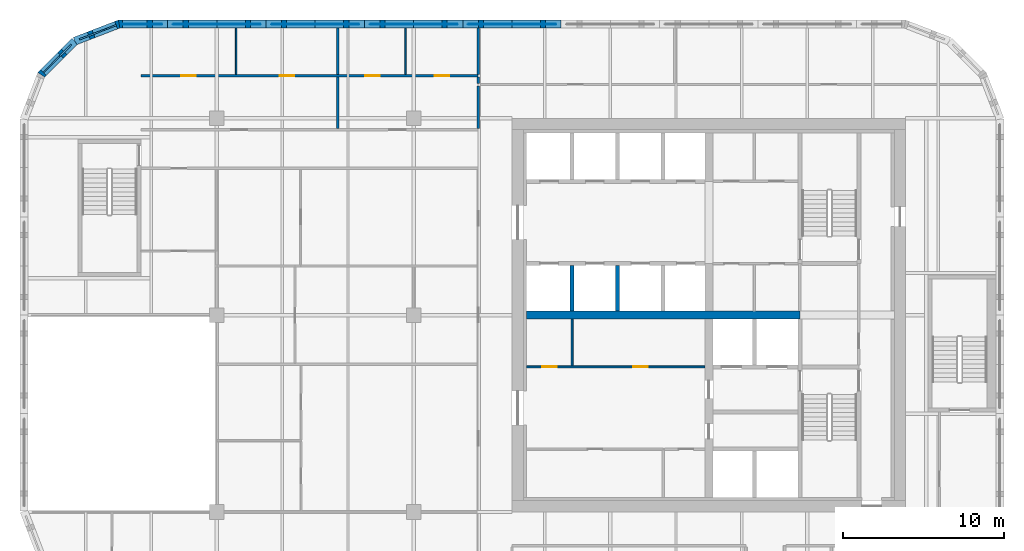
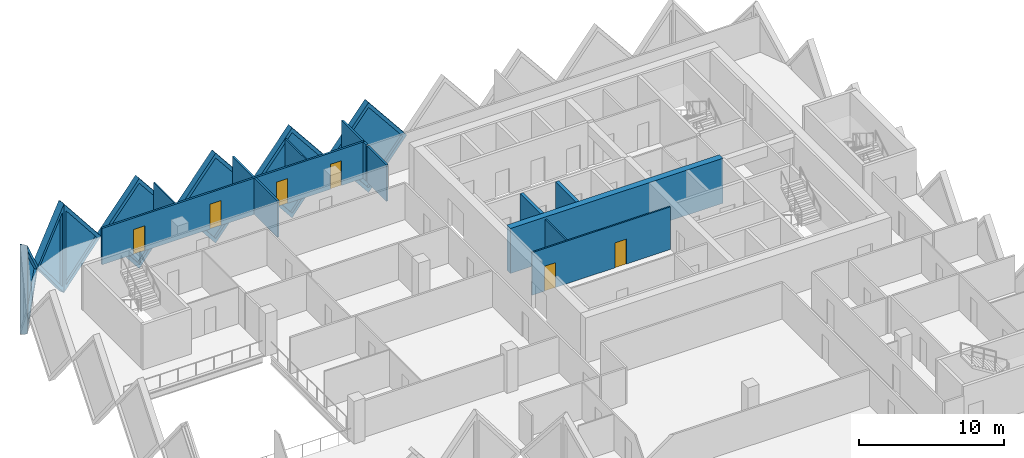
# One storey, part 8 of 12: 20 walls, 7 plates, 6 doors, 13 openings.
"""IFC4 building model written with IfcOpenShell, lengths in metres."""

import ifcopenshell
import ifcopenshell.guid

model = None  # the IFC model being written
_history = None  # IfcOwnerHistory: only IFC2X3 demands one
_inside = {}  # id of a spatial element -> (the spatial element, [elements in it])
_under = {}  # id of a project, library or spatial element -> (it, [spatial elements below it])
_declared = {}  # id of a project -> (the project, [libraries it declares])
_typed = {}  # id of a type object -> (the type object, [elements of that type])
_made_of = {}  # id of a material, layer set ... -> (it, [elements and type objects made of it])


def new_model(schema):
    """Start an empty IFC model of exactly this schema.

    Asked for "IFC4X3", IfcOpenShell would pick the latest addendum, in which some entities
    have other attributes; the version numbers below select the first issue.
    IFC2X3 requires an IfcOwnerHistory on every rooted entity: one is made here for all.
    """
    global model, _history
    if schema == "IFC4X3":
        model = ifcopenshell.file(schema_version=(4, 3, 0, 0))
    else:
        model = ifcopenshell.file(schema=schema)
    _inside.clear()
    _under.clear()
    _declared.clear()
    _typed.clear()
    _made_of.clear()
    _history = None
    if model.schema == "IFC2X3":
        org = make("IfcOrganization", Name="unknown")
        user = make(
            "IfcPersonAndOrganization",
            ThePerson=make("IfcPerson", FamilyName="unknown"),
            TheOrganization=org,
        )
        app = make(
            "IfcApplication",
            ApplicationDeveloper=org,
            Version="unknown",
            ApplicationFullName="unknown",
            ApplicationIdentifier="unknown",
        )
        _history = make(
            "IfcOwnerHistory",
            OwningUser=user,
            OwningApplication=app,
            ChangeAction="ADDED",
            CreationDate=0,
        )
    return model


def make(cls, **values):
    """One entity of the class cls with the attributes given. An attribute that is None is left unset."""
    return model.create_entity(
        cls, **{name: value for name, value in values.items() if value is not None}
    )


def rooted(cls, **values):
    """An entity with a GlobalId (a new one), such as an element, a storey or a relation."""
    return make(cls, GlobalId=ifcopenshell.guid.new(), OwnerHistory=_history, **values)


def si_unit(unit_type, name, prefix=None):
    """IfcSIUnit, for example si_unit("LENGTHUNIT", "METRE", prefix="MILLI")."""
    return make("IfcSIUnit", UnitType=unit_type, Prefix=prefix, Name=name)


def assignment(units):
    """IfcUnitAssignment: the units of a project."""
    return None if units is None else make("IfcUnitAssignment", Units=units)


def point(xyz):
    """IfcCartesianPoint."""
    return None if xyz is None else make("IfcCartesianPoint", Coordinates=xyz)


def direction(xyz):
    """IfcDirection."""
    return None if xyz is None else make("IfcDirection", DirectionRatios=xyz)


def frame(location, z_axis=None, x_axis=None):
    """IfcAxis2Placement3D, a coordinate frame: its origin and axes. An axis left out is left unset."""
    return make(
        "IfcAxis2Placement3D",
        Location=point(location),
        Axis=direction(z_axis),
        RefDirection=direction(x_axis),
    )


def frame_2d(location, x_axis=None):
    """IfcAxis2Placement2D, a coordinate frame in the plane: its origin and x axis."""
    return make(
        "IfcAxis2Placement2D", Location=point(location), RefDirection=direction(x_axis)
    )


def origin():
    """The frame at (0, 0, 0) with its axes left unset."""
    return frame((0.0, 0.0, 0.0))


def place(relative_to, where):
    """IfcLocalPlacement: puts the frame where relative to a parent placement (None: the world)."""
    return make(
        "IfcLocalPlacement", PlacementRelTo=relative_to, RelativePlacement=where
    )


def context(
    kind, dimensions, precision=None, world=None, true_north=None, identifier=None
):
    """IfcGeometricRepresentationContext, for example the 3D "Model" context."""
    return make(
        "IfcGeometricRepresentationContext",
        ContextIdentifier=identifier,
        ContextType=kind,
        CoordinateSpaceDimension=dimensions,
        Precision=precision,
        WorldCoordinateSystem=world,
        TrueNorth=true_north,
    )


def subcontext(parent, identifier, kind, view, scale=None):
    """IfcGeometricRepresentationSubContext, for example "Body" below "Model"."""
    return make(
        "IfcGeometricRepresentationSubContext",
        ContextIdentifier=identifier,
        ContextType=kind,
        ParentContext=parent,
        TargetScale=scale,
        TargetView=view,
    )


def project(units=None, contexts=None):
    """IfcProject with its units and contexts."""
    return rooted(
        "IfcProject",
        Name="project",
        RepresentationContexts=contexts,
        UnitsInContext=assignment(units),
    )


def spatial(cls, under=None, at=None, **own):
    """A site, building, storey or space (cls), placed at a placement, below another one or the project."""
    s = rooted(cls, ObjectPlacement=at, **own)
    if under is not None:
        _under.setdefault(under.id(), (under, []))[1].append(s)
    return s


def polyline(points):
    """IfcPolyline through the points."""
    return make("IfcPolyline", Points=[point(p) for p in points])


def profile(cls, at=None, kind="AREA", **sizes):
    """A parametric profile (cls). Its sizes go by their IFC names, for example OverallWidth=200.0."""
    return make(cls, ProfileType=kind, Position=at, **sizes)


def rectangle(**sizes):
    """IfcRectangleProfileDef."""
    return profile("IfcRectangleProfileDef", **sizes)


def outline(outer, holes=None, kind="AREA"):
    """IfcArbitraryClosedProfileDef: a profile drawn as a closed curve; with holes, ...WithVoids."""
    if holes is None:
        return make("IfcArbitraryClosedProfileDef", ProfileType=kind, OuterCurve=outer)
    return make(
        "IfcArbitraryProfileDefWithVoids",
        ProfileType=kind,
        OuterCurve=outer,
        InnerCurves=holes,
    )


def extrude(swept, where, along, depth):
    """IfcExtrudedAreaSolid: the profile swept, set in the frame where, extruded along a direction by depth."""
    return make(
        "IfcExtrudedAreaSolid",
        SweptArea=swept,
        Position=where,
        ExtrudedDirection=direction(along),
        Depth=depth,
    )


def faces_of(points, faces, orient=None, outer=None):
    """IfcFace entities. A face is a list of loops; a loop is a list of indices into points, from 0.

    orient and outer hold one flag for each loop. By default every Orientation is true, the
    first loop of a face is its IfcFaceOuterBound and the others are IfcFaceBound.
    """
    made = []
    for i, loops in enumerate(faces):
        bounds = []
        for j, loop in enumerate(loops):
            is_outer = j == 0 if outer is None else outer[i][j]
            bounds.append(
                make(
                    "IfcFaceOuterBound" if is_outer else "IfcFaceBound",
                    Bound=make("IfcPolyLoop", Polygon=[points[k] for k in loop]),
                    Orientation=True if orient is None else orient[i][j],
                )
            )
        made.append(make("IfcFace", Bounds=bounds))
    return made


def faceted_brep(points, faces, orient=None, outer=None, voids=None):
    """IfcFacetedBrep: a solid bounded by flat faces; with voids (closed shells), ...WithVoids."""
    shared = [point(p) for p in points]
    hull = make("IfcClosedShell", CfsFaces=faces_of(shared, faces, orient, outer))
    if voids is None:
        return make("IfcFacetedBrep", Outer=hull)
    return make(
        "IfcFacetedBrepWithVoids",
        Outer=hull,
        Voids=[
            make(cls, CfsFaces=faces_of(shared, fs, o, b)) for cls, fs, o, b in voids
        ],
    )


def shape(context_of_items, identifier, shape_type, items):
    """IfcShapeRepresentation: the items that make up one representation, for example the "Body"."""
    return make(
        "IfcShapeRepresentation",
        ContextOfItems=context_of_items,
        RepresentationIdentifier=identifier,
        RepresentationType=shape_type,
        Items=items,
    )


def source(mapping_origin, context_of_items, identifier, shape_type, items):
    """IfcRepresentationMap: a shape defined once, which mapped items show again and again."""
    return make(
        "IfcRepresentationMap",
        MappingOrigin=mapping_origin,
        MappedRepresentation=shape(context_of_items, identifier, shape_type, items),
    )


def transform(
    local_origin,
    x_axis=None,
    y_axis=None,
    z_axis=None,
    scale=None,
    scale2=None,
    scale3=None,
    uniform=True,
):
    """IfcCartesianTransformationOperator3D, or its non-uniform kind. x_axis, y_axis, z_axis: its Axis1, 2, 3."""
    if uniform:
        return make(
            "IfcCartesianTransformationOperator3D",
            Axis1=direction(x_axis),
            Axis2=direction(y_axis),
            LocalOrigin=point(local_origin),
            Scale=scale,
            Axis3=direction(z_axis),
        )
    return make(
        "IfcCartesianTransformationOperator3DnonUniform",
        Axis1=direction(x_axis),
        Axis2=direction(y_axis),
        LocalOrigin=point(local_origin),
        Scale=scale,
        Axis3=direction(z_axis),
        Scale2=scale2,
        Scale3=scale3,
    )


def mapped(mapping_source, mapping_target):
    """IfcMappedItem: shows the shape of a source again, moved by a transform."""
    return make(
        "IfcMappedItem", MappingSource=mapping_source, MappingTarget=mapping_target
    )


def material(Name=None, Category=None):
    """IfcMaterial."""
    return make("IfcMaterial", Name=Name, Category=Category)


def layer(
    of_material, thickness, ventilated=None, Name=None, Category=None, Priority=None
):
    """IfcMaterialLayer: one layer of a wall or slab, of a material (None: an air gap)."""
    return make(
        "IfcMaterialLayer",
        Material=of_material,
        LayerThickness=thickness,
        IsVentilated=ventilated,
        Name=Name,
        Category=Category,
        Priority=Priority,
    )


def layer_set(layers, Name=None):
    """IfcMaterialLayerSet."""
    return make("IfcMaterialLayerSet", MaterialLayers=layers, LayerSetName=Name)


def made_of(thing, what):
    """Note that an element or type object is made of a material, layer set ...; save() writes the relation."""
    if what is not None:
        _made_of.setdefault(what.id(), (what, []))[1].append(thing)
    return thing


def type_object(cls, material=None, **own):
    """A type object (cls), such as IfcWallType, which elements share."""
    return made_of(rooted(cls, **own), material)


def element(
    cls,
    number,
    at=None,
    inside=None,
    cuts=None,
    type_object=None,
    material=None,
    context=None,
    identifier="Body",
    shape_type=None,
    held_by="IfcProductDefinitionShape",
    body=None,
    shapes=None,
    **own,
):
    """One element of the class cls, such as IfcWall. Its Tag is "e" and its number.

    at: its placement. inside: the storey or other place that contains it. cuts: it is an
    opening in that element (IfcRelVoidsElement). A single representation is given by context,
    identifier, shape_type and body (its items); several are given by shapes. held_by: the class
    of the entity that holds the representations. save() writes the other relations.
    """
    e = rooted(cls, Tag="e%d" % number, ObjectPlacement=at, **own)
    if body is not None:
        shapes = [shape(context, identifier, shape_type, body)]
    if shapes is not None:
        e.Representation = make(held_by, Representations=shapes)
    if inside is not None:
        _inside.setdefault(inside.id(), (inside, []))[1].append(e)
    if cuts is not None:
        rooted(
            "IfcRelVoidsElement", RelatingBuildingElement=cuts, RelatedOpeningElement=e
        )
    if type_object is not None:
        _typed.setdefault(type_object.id(), (type_object, []))[1].append(e)
    return made_of(e, material)


def fill(opening, filler):
    """IfcRelFillsElement: the door or window that sits in an opening."""
    return rooted(
        "IfcRelFillsElement",
        RelatingOpeningElement=opening,
        RelatedBuildingElement=filler,
    )


def aggregate(whole, parts):
    """IfcRelAggregates: a whole, such as a stair, and the parts it consists of."""
    return rooted("IfcRelAggregates", RelatingObject=whole, RelatedObjects=parts)


def save(model, path):
    """Write the relations noted so far, then the file.

    IfcRelAggregates (storeys below a building ...), IfcRelContainedInSpatialStructure (elements
    in a storey), IfcRelDefinesByType, IfcRelAssociatesMaterial and IfcRelDeclares: one each for
    every whole, place, type object, material and project.
    """
    for whole, parts in _under.values():
        aggregate(whole, parts)
    for where, things in _inside.values():
        rooted(
            "IfcRelContainedInSpatialStructure",
            RelatedElements=things,
            RelatingStructure=where,
        )
    for kind, things in _typed.values():
        rooted("IfcRelDefinesByType", RelatedObjects=things, RelatingType=kind)
    for what, things in _made_of.values():
        rooted("IfcRelAssociatesMaterial", RelatedObjects=things, RelatingMaterial=what)
    for by, libraries in _declared.values():
        rooted("IfcRelDeclares", RelatingContext=by, RelatedDefinitions=libraries)
    model.write(path)


model = new_model("IFC4")

# Units and contexts
model_context = context("Model", 3, precision=1e-05, world=origin(), true_north=direction((0.0, 1.0)))
body_context = subcontext(model_context, "Body", "Model", "MODEL_VIEW")
ifc_project = project(units=[si_unit("LENGTHUNIT", "METRE"), si_unit("AREAUNIT", "SQUARE_METRE"), si_unit("VOLUMEUNIT", "CUBIC_METRE"), si_unit("PLANEANGLEUNIT", "RADIAN"), si_unit("MASSUNIT", "GRAM", prefix="KILO")], contexts=[model_context])

# Site, building, storey
site_placement = place(None, origin())
site = spatial("IfcSite", under=ifc_project, at=site_placement, CompositionType="ELEMENT")
building_placement = place(site_placement, origin())
building = spatial("IfcBuilding", under=site, at=building_placement, Name="Tessera Gate Towers", CompositionType="ELEMENT")
storey_placement = place(building_placement, frame((0.0, 0.0, 135.39990234375)))
storey = spatial("IfcBuildingStorey", under=building, at=storey_placement, Name="L33", CompositionType="ELEMENT", Elevation=135.39990234375)

# Walls
ifc_material_1 = material(Name="Concrete C40/50", Category="concrete")
ifc_layer_1 = layer(ifc_material_1, 0.25)
ifc_layer_set_1 = layer_set([ifc_layer_1], Name="CORE ENCLOSURE WALL 250")
wall_type_1 = type_object("IfcWallType", Name="CORE ENCLOSURE WALL 250", PredefinedType="SOLIDWALL", material=ifc_layer_set_1)
for number, where, z_axis, x_axis, name in (
    (1, (34.22509765625, 36.85009765625, 0.0), (0.0, 0.0, 1.0), (0.0, 1.0, 0.0), "L33 shaft and stair enclosure wall"),
    (2, (37.050048828125, 36.85009765625, 0.0), (0.0, 0.0, 1.0), (0.0, 1.0, 0.0), "L33 shaft and stair enclosure wall"),
):
    element("IfcWall", number, at=place(storey_placement, frame(where, z_axis=z_axis, x_axis=x_axis)), inside=storey, type_object=wall_type_1, Name=name, PredefinedType="SOLIDWALL", context=body_context, shape_type="SweptSolid", body=[
        extrude(rectangle(XDim=2.824951171875, YDim=0.25, at=frame_2d((1.41259765625, 0.0))), origin(), (0.0, 0.0, 1.0), 3.800048828125),
    ])

# Wall, openings, doors
ifc_material_2 = material(Name="Gypsum board on steel studs", Category="steel")
ifc_layer_2 = layer(ifc_material_2, 0.1201171875)
ifc_layer_set_2 = layer_set([ifc_layer_2], Name="CORE PARTITION 120")
wall_type_2 = type_object("IfcWallType", Name="CORE PARTITION 120", PredefinedType="PARTITIONING", material=ifc_layer_set_2)
wall_1_placement = place(storey_placement, frame((31.39990234375, 33.39990234375, 0.0), z_axis=(0.0, 0.0, 1.0), x_axis=(1.0, 0.0, 0.0)))
wall_1 = element("IfcWall", 3, at=wall_1_placement, inside=storey, type_object=wall_type_2, Name="L33 core partition", PredefinedType="PARTITIONING", context=body_context, shape_type="SweptSolid", body=[
    extrude(rectangle(XDim=11.050048828125, YDim=0.1201171875, at=frame_2d((5.52490234375, 0.0))), origin(), (0.0, 0.0, 1.0), 3.60009765625),
])
shared_shape_1 = source(origin(), body_context, "Body", "SweptSolid", [
    extrude(rectangle(XDim=0.89990234375, YDim=2.10009765625, at=frame_2d((0.449951171875, 1.050048828125))), frame((0.0, 0.070068359375, 0.0), z_axis=(0.0, -1.0, 0.0), x_axis=(1.0, 0.0, 0.0)), (0.0, 0.0, 1.0), 0.14013671875),
])
opening_1_placement = place(wall_1_placement, frame((0.96240234375, 0.0, 0.0)))
opening_1 = element("IfcOpeningElement", 4, at=opening_1_placement, cuts=wall_1, Name="Opening RD-T1-22-07", PredefinedType="OPENING", context=body_context, shape_type="MappedRepresentation", body=[
    mapped(shared_shape_1, transform((0.0, 0.0, 0.0), scale=1.0)),
])
opening_2_placement = place(wall_1_placement, frame((6.612548828125, 0.0, 0.0)))
opening_2 = element("IfcOpeningElement", 5, at=opening_2_placement, cuts=wall_1, Name="Opening RD-T1-22-08", PredefinedType="OPENING", context=body_context, shape_type="MappedRepresentation", body=[
    mapped(shared_shape_1, transform((0.0, 0.0, 0.0), scale=1.0)),
])
ifc_material_3 = material(Name="Hollow steel fire door", Category="steel")
door_type_1 = type_object("IfcDoorType", Name="CORE DOOR RD 900x2100", OperationType="NOTDEFINED", PredefinedType="DOOR", material=ifc_material_3)
shared_shape_2 = source(origin(), body_context, "Body", "SweptSolid", [
    extrude(rectangle(XDim=0.89990234375, YDim=2.10009765625, at=frame_2d((0.449951171875, 1.050048828125))), frame((0.0, 0.02490234375, 0.0), z_axis=(0.0, -1.0, 0.0), x_axis=(1.0, 0.0, 0.0)), (0.0, 0.0, 1.0), 0.050048828125),
])
door_1_placement = place(opening_1_placement, origin())
door_1 = element("IfcDoor", 6, at=door_1_placement, inside=storey, type_object=door_type_1, Name="Core room door", OperationType="SINGLE_SWING_LEFT", OverallHeight=2.10009765625, OverallWidth=0.89990234375, PredefinedType="DOOR", context=body_context, shape_type="MappedRepresentation", body=[
    mapped(shared_shape_2, transform((0.0, 0.0, 0.0), scale=1.0)),
])
fill(opening_1, door_1)
door_2_placement = place(opening_2_placement, origin())
door_2 = element("IfcDoor", 7, at=door_2_placement, inside=storey, type_object=door_type_1, Name="Core room door", OperationType="SINGLE_SWING_RIGHT", OverallHeight=2.10009765625, OverallWidth=0.89990234375, PredefinedType="DOOR", context=body_context, shape_type="MappedRepresentation", body=[
    mapped(shared_shape_2, transform((0.0, 0.0, 0.0), scale=1.0)),
])
fill(opening_2, door_2)

# Walls
wall_2_placement = place(storey_placement, frame((34.22509765625, 33.4599609375, 0.0), z_axis=(0.0, 0.0, 1.0), x_axis=(0.0, 1.0, 0.0)))
element("IfcWall", 8, at=wall_2_placement, inside=storey, type_object=wall_type_2, Name="L33 core partition", PredefinedType="PARTITIONING", context=body_context, shape_type="SweptSolid", body=[
    extrude(rectangle(XDim=2.89013671875, YDim=0.1201171875, at=frame_2d((1.445068359375, 0.0))), origin(), (0.0, 0.0, 1.0), 3.60009765625),
])
ifc_material_4 = material(Name="Concrete C60/75", Category="concrete")
ifc_layer_3 = layer(ifc_material_4, 0.5)
ifc_layer_set_3 = layer_set([ifc_layer_3], Name="CORE SPINE WALL 500 C60/75")
wall_type_3 = type_object("IfcWallType", Name="CORE SPINE WALL 500 C60/75", PredefinedType="SHEAR", material=ifc_layer_set_3)
wall_3_placement = place(storey_placement, frame((31.39990234375, 36.60009765625, 0.0), z_axis=(0.0, 0.0, 1.0), x_axis=(1.0, 0.0, 0.0)))
element("IfcWall", 9, at=wall_3_placement, inside=storey, type_object=wall_type_3, Name="Core wall spine L33", PredefinedType="SHEAR", context=body_context, shape_type="SweptSolid", body=[
    extrude(rectangle(XDim=16.9501953125, YDim=0.5, at=frame_2d((8.47509765625, 0.0))), origin(), (0.0, 0.0, 1.0), 3.800048828125),
])
ifc_material_5 = material(Name="Gypsum board on steel studs, mineral wool", Category="steel")
ifc_layer_4 = layer(ifc_material_5, 0.14990234375)
ifc_layer_set_4 = layer_set([ifc_layer_4], Name="CORRIDOR WALL 150")
wall_type_4 = type_object("IfcWallType", Name="CORRIDOR WALL 150", PredefinedType="PARTITIONING", material=ifc_layer_set_4)
wall_4_placement = place(storey_placement, frame((28.39990234375, 48.176025390625, 0.0), z_axis=(0.0, 0.0, 1.0), x_axis=(0.0, 1.0, 0.0)))
element("IfcWall", 10, at=wall_4_placement, inside=storey, type_object=wall_type_4, Name="T1-L33-PW-049", PredefinedType="PARTITIONING", context=body_context, shape_type="SweptSolid", body=[
    extrude(rectangle(XDim=2.64794921875, YDim=0.14990234375, at=frame_2d((1.323974609375, 0.0))), origin(), (0.0, 0.0, 1.0), 3.067138671875),
])
ifc_material_6 = material(Name="Gypsum board on steel studs", Category="steel")
ifc_layer_5 = layer(ifc_material_6, 0.10009765625)
ifc_layer_set_5 = layer_set([ifc_layer_5], Name="PARTITION 100")
wall_type_5 = type_object("IfcWallType", Name="PARTITION 100", PredefinedType="PARTITIONING", material=ifc_layer_set_5)
for number, where, z_axis, x_axis, name in (
    (11, (13.39404296875, 51.52587890625, 0.0), (0.0, 0.0, 1.0), (0.0, 1.0, 0.0), "T1-L33-PW-054"),
    (12, (23.903076171875, 51.52587890625, 0.0), (0.0, 0.0, 1.0), (0.0, 1.0, 0.0), "T1-L33-PW-056"),
):
    element("IfcWall", number, at=place(storey_placement, frame(where, z_axis=z_axis, x_axis=x_axis)), inside=storey, type_object=wall_type_5, Name=name, PredefinedType="PARTITIONING", context=body_context, shape_type="SweptSolid", body=[
        extrude(rectangle(XDim=2.8740234375, YDim=0.10009765625, at=frame_2d((1.43701171875, 0.0))), origin(), (0.0, 0.0, 1.0), 3.067138671875),
    ])
ifc_material_7 = material(Name="Gypsum board on steel studs, mineral wool", Category="steel")
ifc_layer_6 = layer(ifc_material_7, 0.14990234375)
ifc_layer_set_6 = layer_set([ifc_layer_6], Name="TENANCY WALL 150")
wall_type_6 = type_object("IfcWallType", Name="TENANCY WALL 150", PredefinedType="PARTITIONING", material=ifc_layer_set_6)
wall_5_placement = place(storey_placement, frame((19.699951171875, 48.176025390625, 0.0), z_axis=(0.0, 0.0, 1.0), x_axis=(0.0, 1.0, 0.0)))
element("IfcWall", 13, at=wall_5_placement, inside=storey, type_object=wall_type_6, Name="T1-L33-PW-048", PredefinedType="PARTITIONING", context=body_context, shape_type="SweptSolid", body=[
    extrude(rectangle(XDim=3.197998046875, YDim=0.14990234375, at=frame_2d((1.59912109375, 0.0))), origin(), (0.0, 0.0, 1.0), 3.067138671875),
])
wall_6_placement = place(storey_placement, frame((28.39990234375, 50.97607421875, 0.0), z_axis=(0.0, 0.0, 1.0), x_axis=(0.0, 1.0, 0.0)))
element("IfcWall", 14, at=wall_6_placement, inside=storey, type_object=wall_type_6, Name="T1-L33-PW-051", PredefinedType="PARTITIONING", context=body_context, shape_type="SweptSolid", body=[
    extrude(rectangle(XDim=0.39794921875, YDim=0.14990234375, at=frame_2d((0.198974609375, 0.0))), origin(), (0.0, 0.0, 1.0), 3.067138671875),
])

# Wall, openings, doors
wall_7_placement = place(storey_placement, frame((7.5, 51.449951171875, 0.0), z_axis=(0.0, 0.0, 1.0), x_axis=(1.0, 0.0, 0.0)))
wall_7 = element("IfcWall", 15, at=wall_7_placement, inside=storey, type_object=wall_type_6, Name="T1-L33-PW-053", PredefinedType="PARTITIONING", context=body_context, shape_type="SweptSolid", body=[
    extrude(rectangle(XDim=20.89990234375, YDim=0.14990234375, at=frame_2d((10.449951171875, 0.0))), origin(), (0.0, 0.0, 1.0), 3.067138671875),
])
shared_shape_3 = source(origin(), body_context, "Body", "SweptSolid", [
    extrude(rectangle(XDim=0.89990234375, YDim=2.10009765625, at=frame_2d((0.449951171875, 1.050048828125))), frame((0.0, 0.0849609375, 0.0), z_axis=(0.0, -1.0, 0.0), x_axis=(1.0, 0.0, 0.0)), (0.0, 0.0, 1.0), 0.169921875),
])
opening_3_placement = place(wall_7_placement, frame((13.90087890625, 0.0, 0.0)))
opening_3 = element("IfcOpeningElement", 16, at=opening_3_placement, cuts=wall_7, Name="Opening D190-A12-03", PredefinedType="OPENING", context=body_context, shape_type="MappedRepresentation", body=[
    mapped(shared_shape_3, transform((0.0, 0.0, 0.0), scale=1.0)),
])
opening_4_placement = place(wall_7_placement, frame((18.202880859375, 0.0, 0.0)))
opening_4 = element("IfcOpeningElement", 17, at=opening_4_placement, cuts=wall_7, Name="Opening D190-A12-06", PredefinedType="OPENING", context=body_context, shape_type="MappedRepresentation", body=[
    mapped(shared_shape_3, transform((0.0, 0.0, 0.0), scale=1.0)),
])
opening_5_placement = place(wall_7_placement, frame((2.5, 0.0, 0.0)))
opening_5 = element("IfcOpeningElement", 18, at=opening_5_placement, cuts=wall_7, Name="Opening D190-A12-11", PredefinedType="OPENING", context=body_context, shape_type="MappedRepresentation", body=[
    mapped(shared_shape_3, transform((0.0, 0.0, 0.0), scale=1.0)),
])
opening_6_placement = place(wall_7_placement, frame((8.59375, 0.0, 0.0)))
opening_6 = element("IfcOpeningElement", 19, at=opening_6_placement, cuts=wall_7, Name="Opening D190-A12-13", PredefinedType="OPENING", context=body_context, shape_type="MappedRepresentation", body=[
    mapped(shared_shape_3, transform((0.0, 0.0, 0.0), scale=1.0)),
])
ifc_material_8 = material(Name="Timber door leaf in steel frame", Category="steel")
door_type_2 = type_object("IfcDoorType", Name="INTERNAL DOOR 900 NOT RATED", OperationType="NOTDEFINED", PredefinedType="DOOR", material=ifc_material_8)
door_3_placement = place(opening_3_placement, origin())
door_3 = element("IfcDoor", 20, at=door_3_placement, inside=storey, type_object=door_type_2, Name="T1-L33-PD-004", OperationType="SINGLE_SWING_LEFT", OverallHeight=2.10009765625, OverallWidth=0.89990234375, PredefinedType="DOOR", context=body_context, shape_type="MappedRepresentation", body=[
    mapped(shared_shape_2, transform((0.0, 0.0, 0.0), scale=1.0)),
])
fill(opening_3, door_3)
door_4_placement = place(opening_4_placement, origin())
door_4 = element("IfcDoor", 21, at=door_4_placement, inside=storey, type_object=door_type_2, Name="T1-L33-PD-007", OperationType="SINGLE_SWING_LEFT", OverallHeight=2.10009765625, OverallWidth=0.89990234375, PredefinedType="DOOR", context=body_context, shape_type="MappedRepresentation", body=[
    mapped(shared_shape_2, transform((0.0, 0.0, 0.0), scale=1.0)),
])
fill(opening_4, door_4)
door_5_placement = place(opening_5_placement, origin())
door_5 = element("IfcDoor", 22, at=door_5_placement, inside=storey, type_object=door_type_2, Name="T1-L33-PD-016", OperationType="SINGLE_SWING_LEFT", OverallHeight=2.10009765625, OverallWidth=0.89990234375, PredefinedType="DOOR", context=body_context, shape_type="MappedRepresentation", body=[
    mapped(shared_shape_2, transform((0.0, 0.0, 0.0), scale=1.0)),
])
fill(opening_5, door_5)
door_6_placement = place(opening_6_placement, origin())
door_6 = element("IfcDoor", 23, at=door_6_placement, inside=storey, type_object=door_type_2, Name="T1-L33-PD-022", OperationType="SINGLE_SWING_LEFT", OverallHeight=2.10009765625, OverallWidth=0.89990234375, PredefinedType="DOOR", context=body_context, shape_type="MappedRepresentation", body=[
    mapped(shared_shape_2, transform((0.0, 0.0, 0.0), scale=1.0)),
])
fill(opening_6, door_6)

# Walls
for number, where, z_axis, x_axis, name in (
    (24, (19.699951171875, 51.52587890625, 0.0), (0.0, 0.0, 1.0), (0.0, 1.0, 0.0), "T1-L33-PW-055"),
    (25, (28.39990234375, 51.52587890625, 0.0), (0.0, 0.0, 1.0), (0.0, 1.0, 0.0), "T1-L33-PW-057"),
):
    element("IfcWall", number, at=place(storey_placement, frame(where, z_axis=z_axis, x_axis=x_axis)), inside=storey, type_object=wall_type_6, Name=name, PredefinedType="PARTITIONING", context=body_context, shape_type="SweptSolid", body=[
        extrude(rectangle(XDim=2.8740234375, YDim=0.14990234375, at=frame_2d((1.43701171875, 0.0))), origin(), (0.0, 0.0, 1.0), 3.067138671875),
    ])

# Wall, opening, plate
ifc_material_9 = material(Name="Precast concrete C60/75 white", Category="concrete")
ifc_layer_7 = layer(ifc_material_9, 0.5)
ifc_layer_set_7 = layer_set([ifc_layer_7], Name="TS1 tessera")
wall_type_7 = type_object("IfcWallType", Name="TS1 tessera", PredefinedType="SOLIDWALL", material=ifc_layer_set_7)
shared_shape_4 = source(origin(), body_context, "Body", "Brep", [
    faceted_brep([(3.050048828125, -0.25, 0.0), (6.099853515625, -0.25, 3.799560546875), (6.099853515625, -0.25, 3.800048828125), (3.050048828125, -0.25, 7.599853515625), (0.0, -0.25, 3.7998046875), (0.0, 0.25, 3.7998046875), (3.050048828125, 0.25, 7.599853515625), (6.099853515625, 0.25, 3.800048828125), (6.099853515625, 0.25, 3.799560546875), (3.050048828125, 0.25, 0.0)], [[[0, 1, 2, 3, 4]], [[5, 6, 7, 8, 9]], [[9, 8, 1, 0]], [[7, 6, 3, 2]], [[6, 5, 4, 3]], [[5, 9, 0, 4]], [[1, 8, 7, 2]]]),
])
wall_8_placement = place(storey_placement, frame((27.449951171875, 54.64990234375, -3.7998046875), z_axis=(0.0, 0.0, 1.0), x_axis=(-1.0, 0.0, 0.0)))
wall_8 = element("IfcWall", 26, at=wall_8_placement, inside=storey, type_object=wall_type_7, Name="Precast tessera T1 TS1-0566", PredefinedType="SOLIDWALL", context=body_context, shape_type="MappedRepresentation", body=[
    mapped(shared_shape_4, transform((0.0, 0.0, 0.0), scale=1.0)),
])
shared_shape_5 = source(origin(), body_context, "Body", "SweptSolid", [
    extrude(outline(polyline([(3.050048828125, 0.3994140625), (5.779541015625, 3.7998046875), (3.050048828125, 7.200439453125), (0.320556640625, 3.7998046875), (3.050048828125, 0.3994140625)])), frame((0.0, 0.260009765625, 0.0), z_axis=(0.0, -1.0, 0.0), x_axis=(1.0, 0.0, 0.0)), (0.0, 0.0, 1.0), 0.52001953125),
])
opening_7_placement = place(wall_8_placement, origin())
opening_7 = element("IfcOpeningElement", 27, at=opening_7_placement, cuts=wall_8, Name="Opening T1-PL2-1152", PredefinedType="OPENING", context=body_context, shape_type="MappedRepresentation", body=[
    mapped(shared_shape_5, transform((0.0, 0.0, 0.0), scale=1.0)),
])
ifc_material_10 = material(Name="Low-e laminated glass", Category="glass")
ifc_layer_8 = layer(ifc_material_10, 0.06005859375)
ifc_layer_set_8 = layer_set([ifc_layer_8], Name="PL2 rhombic pane")
plate_type = type_object("IfcPlateType", Name="PL2 rhombic pane", PredefinedType="SHEET", material=ifc_layer_set_8)
shared_shape_6 = source(origin(), body_context, "Body", "SweptSolid", [
    extrude(outline(polyline([(3.050048828125, 0.3994140625), (5.779541015625, 3.7998046875), (3.050048828125, 7.200439453125), (0.320556640625, 3.7998046875), (3.050048828125, 0.3994140625)])), frame((0.0, 0.030029296875, 0.0), z_axis=(0.0, -1.0, 0.0), x_axis=(1.0, 0.0, 0.0)), (0.0, 0.0, 1.0), 0.06005859375),
])
plate_1_placement = place(opening_7_placement, origin())
plate_1 = element("IfcPlate", 28, at=plate_1_placement, inside=storey, type_object=plate_type, Name="Glass pane T1 PL2-1152", PredefinedType="SHEET", context=body_context, shape_type="MappedRepresentation", body=[
    mapped(shared_shape_6, transform((0.0, 0.0, 0.0), scale=1.0)),
])
fill(opening_7, plate_1)

shared_shape_7 = source(origin(), body_context, "Body", "SweptSolid", [
    extrude(outline(polyline([(3.050048828125, 0.0), (6.10009765625, 3.7998046875), (3.050048828125, 7.599853515625), (0.0, 3.7998046875), (3.050048828125, 0.0)])), frame((0.0, 0.25, 0.0), z_axis=(0.0, -1.0, 0.0), x_axis=(1.0, 0.0, 0.0)), (0.0, 0.0, 1.0), 0.5),
])
wall_9_placement = place(storey_placement, frame((33.550048828125, 54.64990234375, -3.7998046875), z_axis=(0.0, 0.0, 1.0), x_axis=(-1.0, 0.0, 0.0)))
wall_9 = element("IfcWall", 29, at=wall_9_placement, inside=storey, type_object=wall_type_7, Name="Precast tessera T1 TS1-0565", PredefinedType="SOLIDWALL", context=body_context, shape_type="MappedRepresentation", body=[
    mapped(shared_shape_7, transform((0.0, 0.0, 0.0), scale=1.0)),
])
opening_8_placement = place(wall_9_placement, origin())
opening_8 = element("IfcOpeningElement", 30, at=opening_8_placement, cuts=wall_9, Name="Opening T1-PL2-1151", PredefinedType="OPENING", context=body_context, shape_type="MappedRepresentation", body=[
    mapped(shared_shape_5, transform((0.0, 0.0, 0.0), scale=1.0)),
])
plate_2_placement = place(opening_8_placement, origin())
plate_2 = element("IfcPlate", 31, at=plate_2_placement, inside=storey, type_object=plate_type, Name="Glass pane T1 PL2-1151", PredefinedType="SHEET", context=body_context, shape_type="MappedRepresentation", body=[
    mapped(shared_shape_6, transform((0.0, 0.0, 0.0), scale=1.0)),
])
fill(opening_8, plate_2)

wall_10_placement = place(storey_placement, frame((21.35009765625, 54.64990234375, -3.7998046875), z_axis=(0.0, 0.0, 1.0), x_axis=(-1.0, 0.0, 0.0)))
wall_10 = element("IfcWall", 32, at=wall_10_placement, inside=storey, type_object=wall_type_7, Name="Precast tessera T1 TS1-0567", PredefinedType="SOLIDWALL", context=body_context, shape_type="MappedRepresentation", body=[
    mapped(shared_shape_7, transform((0.0, 0.0, 0.0), scale=1.0)),
])
opening_9_placement = place(wall_10_placement, origin())
opening_9 = element("IfcOpeningElement", 33, at=opening_9_placement, cuts=wall_10, Name="Opening T1-PL2-1153", PredefinedType="OPENING", context=body_context, shape_type="MappedRepresentation", body=[
    mapped(shared_shape_5, transform((0.0, 0.0, 0.0), scale=1.0)),
])
plate_3_placement = place(opening_9_placement, origin())
plate_3 = element("IfcPlate", 34, at=plate_3_placement, inside=storey, type_object=plate_type, Name="Glass pane T1 PL2-1153", PredefinedType="SHEET", context=body_context, shape_type="MappedRepresentation", body=[
    mapped(shared_shape_6, transform((0.0, 0.0, 0.0), scale=1.0)),
])
fill(opening_9, plate_3)

wall_11_placement = place(storey_placement, frame((15.25, 54.64990234375, -3.7998046875), z_axis=(0.0, 0.0, 1.0), x_axis=(-1.0, 0.0, 0.0)))
wall_11 = element("IfcWall", 35, at=wall_11_placement, inside=storey, type_object=wall_type_7, Name="Precast tessera T1 TS1-0568", PredefinedType="SOLIDWALL", context=body_context, shape_type="MappedRepresentation", body=[
    mapped(shared_shape_7, transform((0.0, 0.0, 0.0), scale=1.0)),
])
opening_10_placement = place(wall_11_placement, origin())
opening_10 = element("IfcOpeningElement", 36, at=opening_10_placement, cuts=wall_11, Name="Opening T1-PL2-1154", PredefinedType="OPENING", context=body_context, shape_type="MappedRepresentation", body=[
    mapped(shared_shape_5, transform((0.0, 0.0, 0.0), scale=1.0)),
])
plate_4_placement = place(opening_10_placement, origin())
plate_4 = element("IfcPlate", 37, at=plate_4_placement, inside=storey, type_object=plate_type, Name="Glass pane T1 PL2-1154", PredefinedType="SHEET", context=body_context, shape_type="MappedRepresentation", body=[
    mapped(shared_shape_6, transform((0.0, 0.0, 0.0), scale=1.0)),
])
fill(opening_10, plate_4)

ifc_material_11 = material(Name="Precast concrete C60/75 white", Category="concrete")
ifc_layer_9 = layer(ifc_material_11, 0.5)
ifc_layer_set_9 = layer_set([ifc_layer_9], Name="TS3 corner tessera")
wall_type_8 = type_object("IfcWallType", Name="TS3 corner tessera", PredefinedType="SOLIDWALL", material=ifc_layer_set_9)
shared_shape_8 = source(origin(), body_context, "Body", "Brep", [
    faceted_brep([(3.00341796875, -0.25, 0.0), (3.050048828125, -0.25, 0.06005859375), (3.050048828125, -0.25, 7.539794921875), (3.00341796875, -0.25, 7.599853515625), (0.0, -0.25, 3.7998046875), (0.0, 0.25, 3.7998046875), (2.956787109375, 0.25, 7.541015625), (2.956787109375, 0.25, 0.058837890625), (3.00341796875, 0.000244140625, 0.0), (3.00341796875, 0.000244140625, 7.599853515625)], [[[0, 1, 2, 3, 4]], [[5, 6, 7]], [[1, 0, 8]], [[9, 3, 2]], [[6, 5, 4, 3, 9]], [[5, 7, 8, 0, 4]], [[1, 8, 7, 6, 9, 2]]]),
])
wall_12_placement = place(storey_placement, frame((9.14990234375, 54.64990234375, -3.7998046875), z_axis=(0.0, 0.0, 1.0), x_axis=(-1.0, 0.0, 0.0)))
wall_12 = element("IfcWall", 38, at=wall_12_placement, inside=storey, type_object=wall_type_8, Name="Precast corner tessera T1 TS3-0755", PredefinedType="SOLIDWALL", context=body_context, shape_type="MappedRepresentation", body=[
    mapped(shared_shape_8, transform((0.0, 0.0, 0.0), scale=1.0)),
])
shared_shape_9 = source(origin(), body_context, "Body", "SweptSolid", [
    extrude(outline(polyline([(2.803466796875, 6.943603515625), (0.318603515625, 3.7998046875), (2.803466796875, 0.656005859375), (2.803466796875, 6.943603515625)])), frame((0.0, 0.260009765625, 0.0), z_axis=(0.0, -1.0, 0.0), x_axis=(1.0, 0.0, 0.0)), (0.0, 0.0, 1.0), 0.52001953125),
])
opening_11_placement = place(wall_12_placement, origin())
opening_11 = element("IfcOpeningElement", 39, at=opening_11_placement, cuts=wall_12, Name="Opening T1-PL2-1155", PredefinedType="OPENING", context=body_context, shape_type="MappedRepresentation", body=[
    mapped(shared_shape_9, transform((0.0, 0.0, 0.0), scale=1.0)),
])
shared_shape_10 = source(origin(), body_context, "Body", "SweptSolid", [
    extrude(outline(polyline([(2.803466796875, 6.943603515625), (0.318603515625, 3.7998046875), (2.803466796875, 0.656005859375), (2.803466796875, 6.943603515625)])), frame((0.0, 0.030029296875, 0.0), z_axis=(0.0, -1.0, 0.0), x_axis=(1.0, 0.0, 0.0)), (0.0, 0.0, 1.0), 0.06005859375),
])
plate_5_placement = place(opening_11_placement, origin())
plate_5 = element("IfcPlate", 40, at=plate_5_placement, inside=storey, type_object=plate_type, Name="Glass pane T1 PL2-1155", PredefinedType="SHEET", context=body_context, shape_type="MappedRepresentation", body=[
    mapped(shared_shape_10, transform((0.0, 0.0, 0.0), scale=1.0)),
])
fill(opening_11, plate_5)

shared_shape_11 = source(origin(), body_context, "Body", "Brep", [
    faceted_brep([(0.046630859375, -0.25, 0.0), (2.9970703125, -0.25, 3.7998046875), (0.046630859375, -0.25, 7.599853515625), (0.0, -0.25, 7.541015625), (0.0, -0.25, 0.058837890625), (0.09326171875, 0.25, 7.539794921875), (2.9443359375, 0.25, 3.867919921875), (2.9443359375, 0.25, 3.731689453125), (0.09326171875, 0.25, 0.06005859375), (2.9970703125, 0.00048828125, 3.7998046875), (0.046630859375, 0.0, 0.0), (0.046630859375, 0.0, 7.599853515625)], [[[0, 1, 2, 3, 4]], [[5, 6, 7, 8]], [[8, 7, 9, 1, 0, 10]], [[6, 5, 11, 2, 1, 9]], [[3, 2, 11]], [[10, 0, 4]], [[8, 10, 4, 3, 11, 5]], [[9, 7, 6]]]),
])
wall_13_placement = place(storey_placement, frame((6.18994140625, 54.666748046875, -3.7998046875), z_axis=(0.0, 0.0, 1.0), x_axis=(-0.932990326376, -0.359901446078, 0.0)))
wall_13 = element("IfcWall", 41, at=wall_13_placement, inside=storey, type_object=wall_type_8, Name="Precast corner tessera T1 TS3-0756", PredefinedType="SOLIDWALL", context=body_context, shape_type="MappedRepresentation", body=[
    mapped(shared_shape_11, transform((0.0, 0.0, 0.0), scale=1.0)),
])
shared_shape_12 = source(origin(), body_context, "Body", "SweptSolid", [
    extrude(outline(polyline([(0.24658203125, 0.6650390625), (2.6806640625, 3.7998046875), (0.24658203125, 6.9345703125), (0.24658203125, 0.6650390625)])), frame((0.0, 0.260009765625, 0.0), z_axis=(0.0, -1.0, 0.0), x_axis=(1.0, 0.0, 0.0)), (0.0, 0.0, 1.0), 0.52001953125),
])
opening_12_placement = place(wall_13_placement, origin())
opening_12 = element("IfcOpeningElement", 42, at=opening_12_placement, cuts=wall_13, Name="Opening T1-PL2-1156", PredefinedType="OPENING", context=body_context, shape_type="MappedRepresentation", body=[
    mapped(shared_shape_12, transform((0.0, 0.0, 0.0), scale=1.0)),
])
shared_shape_13 = source(origin(), body_context, "Body", "SweptSolid", [
    extrude(outline(polyline([(0.24658203125, 0.6650390625), (2.6806640625, 3.7998046875), (0.24658203125, 6.9345703125), (0.24658203125, 0.6650390625)])), frame((0.0, 0.030029296875, 0.0), z_axis=(0.0, -1.0, 0.0), x_axis=(1.0, 0.0, 0.0)), (0.0, 0.0, 1.0), 0.06005859375),
])
plate_6_placement = place(opening_12_placement, origin())
plate_6 = element("IfcPlate", 43, at=plate_6_placement, inside=storey, type_object=plate_type, Name="Glass pane T1 PL2-1156", PredefinedType="SHEET", context=body_context, shape_type="MappedRepresentation", body=[
    mapped(shared_shape_13, transform((0.0, 0.0, 0.0), scale=1.0)),
])
fill(opening_12, plate_6)

shared_shape_14 = source(origin(), body_context, "Body", "Brep", [
    faceted_brep([(2.944091796875, -0.25, 0.0), (2.9970703125, -0.25, 0.068115234375), (2.9970703125, -0.25, 7.53173828125), (2.944091796875, -0.25, 7.599853515625), (0.0, -0.25, 3.7998046875), (0.052978515625, 0.25, 3.8681640625), (2.89111328125, 0.25, 7.53173828125), (2.89111328125, 0.25, 0.068115234375), (0.052978515625, 0.25, 3.7314453125), (2.944091796875, 0.000244140625, 0.0), (2.944091796875, 0.000244140625, 7.599853515625), (0.0, 0.0, 3.7998046875)], [[[0, 1, 2, 3, 4]], [[5, 6, 7, 8]], [[1, 0, 9]], [[10, 3, 2]], [[6, 5, 11, 4, 3, 10]], [[8, 7, 9, 0, 4, 11]], [[8, 11, 5]], [[1, 9, 7, 6, 10, 2]]]),
])
wall_14_placement = place(storey_placement, frame((3.393798828125, 53.588134765625, -3.7998046875), z_axis=(0.0, 0.0, 1.0), x_axis=(-0.707106781187, -0.707106781187, 0.0)))
wall_14 = element("IfcWall", 44, at=wall_14_placement, inside=storey, type_object=wall_type_8, Name="Precast corner tessera T1 TS3-0757", PredefinedType="SOLIDWALL", context=body_context, shape_type="MappedRepresentation", body=[
    mapped(shared_shape_14, transform((0.0, 0.0, 0.0), scale=1.0)),
])
shared_shape_15 = source(origin(), body_context, "Body", "SweptSolid", [
    extrude(outline(polyline([(2.744140625, 6.93359375), (0.316162109375, 3.7998046875), (2.744140625, 0.666259765625), (2.744140625, 6.93359375)])), frame((0.0, 0.260009765625, 0.0), z_axis=(0.0, -1.0, 0.0), x_axis=(1.0, 0.0, 0.0)), (0.0, 0.0, 1.0), 0.52001953125),
])
opening_13_placement = place(wall_14_placement, origin())
opening_13 = element("IfcOpeningElement", 45, at=opening_13_placement, cuts=wall_14, Name="Opening T1-PL2-1157", PredefinedType="OPENING", context=body_context, shape_type="MappedRepresentation", body=[
    mapped(shared_shape_15, transform((0.0, 0.0, 0.0), scale=1.0)),
])
shared_shape_16 = source(origin(), body_context, "Body", "SweptSolid", [
    extrude(outline(polyline([(2.744140625, 6.93359375), (0.316162109375, 3.7998046875), (2.744140625, 0.666259765625), (2.744140625, 6.93359375)])), frame((0.0, 0.030029296875, 0.0), z_axis=(0.0, -1.0, 0.0), x_axis=(1.0, 0.0, 0.0)), (0.0, 0.0, 1.0), 0.06005859375),
])
plate_7_placement = place(opening_13_placement, origin())
plate_7 = element("IfcPlate", 46, at=plate_7_placement, inside=storey, type_object=plate_type, Name="Glass pane T1 PL2-1157", PredefinedType="SHEET", context=body_context, shape_type="MappedRepresentation", body=[
    mapped(shared_shape_16, transform((0.0, 0.0, 0.0), scale=1.0)),
])
fill(opening_13, plate_7)

save(model, "model.ifc")
